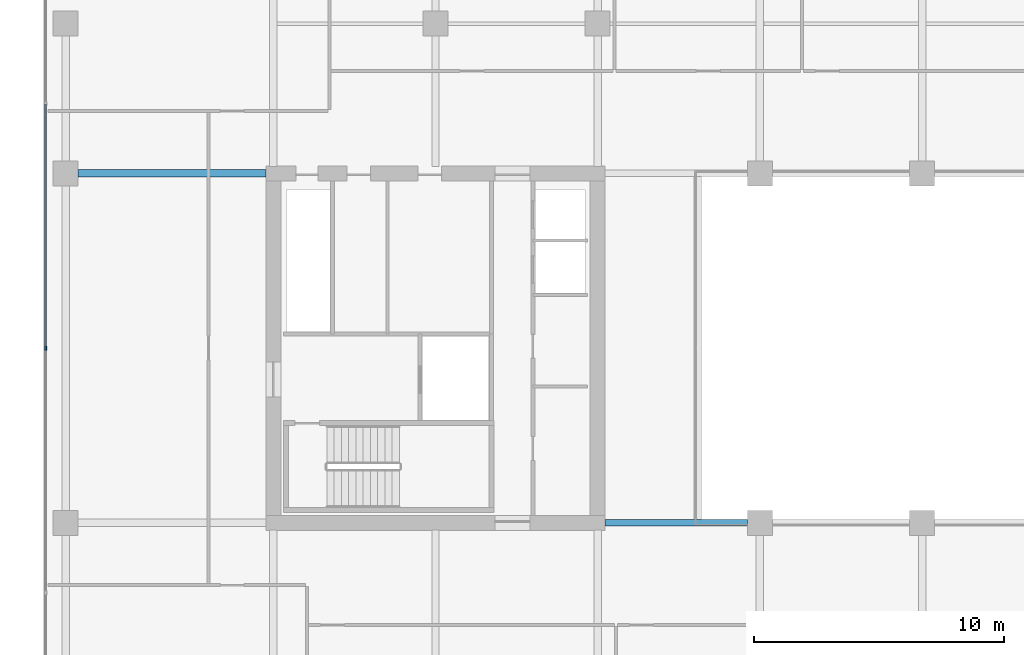
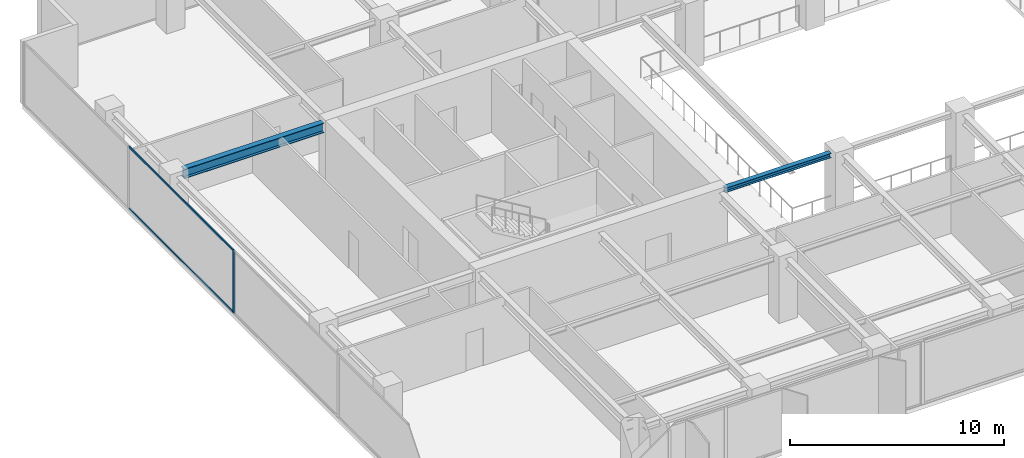
# One storey, part 4 of 22: 3 members, 2 beams, 1 element without a shape of its own.
"""IFC4 building model written with IfcOpenShell, lengths in metres."""

from ifc_helpers import new_model, si_unit, direction, frame, origin, origin_2d, place, context, subcontext, project, spatial, rectangle, i_section, extrude, material, layer, layer_set, material_profile, profile_set, type_object, element, aggregate, save


model = new_model("IFC4")

# Units and contexts
model_context = context("Model", 3, precision=1e-05, world=origin(), true_north=direction((0.0, 1.0)))
body_context = subcontext(model_context, "Body", "Model", "MODEL_VIEW")
ifc_project = project(units=[si_unit("LENGTHUNIT", "METRE"), si_unit("AREAUNIT", "SQUARE_METRE"), si_unit("VOLUMEUNIT", "CUBIC_METRE"), si_unit("PLANEANGLEUNIT", "RADIAN"), si_unit("MASSUNIT", "GRAM", prefix="KILO")], contexts=[model_context])

# Site, building, storey
site_placement = place(None, origin())
site = spatial("IfcSite", under=ifc_project, at=site_placement, CompositionType="ELEMENT")
building_placement = place(site_placement, origin())
building = spatial("IfcBuilding", under=site, at=building_placement, Name="Putna Gate Headquarters", CompositionType="ELEMENT")
storey_placement = place(building_placement, frame((0.0, 0.0, 167.0)))
storey = spatial("IfcBuildingStorey", under=building, at=storey_placement, Name="L41", CompositionType="ELEMENT", Elevation=167.0)

# Beams
ifc_material_1 = material(Name="Steel S355J2", Category="steel")
ifc_material_profile_1 = material_profile(ifc_material_1, i_section(OverallWidth=0.260009765625, OverallDepth=0.260009765625, WebThickness=0.010009765625, FlangeThickness=0.017578125, at=origin_2d()), Name="Steel S355J2")
ifc_profile_set_1 = profile_set([ifc_material_profile_1], Name="Steel S355J2")
beam_type_1 = type_object("IfcBeamType", Name="BM-ATRIUM-HEB260", PredefinedType="BEAM", material=ifc_profile_set_1)
beam_1_placement = place(storey_placement, frame((26.284912109375, 19.0, 3.44189453125), z_axis=(1.0, 0.0, 0.0), x_axis=(0.0, 1.0, 0.0)))
element("IfcBeam", 1, at=beam_1_placement, inside=storey, type_object=beam_type_1, Name="L41 Atrium Edge Beam AS1", PredefinedType="BEAM", context=body_context, shape_type="SweptSolid", body=[
    extrude(i_section(OverallWidth=0.260009765625, OverallDepth=0.260009765625, WebThickness=0.010009765625, FlangeThickness=0.017578125, at=origin_2d()), origin(), (0.0, 0.0, 1.0), 5.72705078125),
])
ifc_material_profile_2 = material_profile(ifc_material_1, i_section(OverallWidth=0.300048828125, OverallDepth=0.550048828125, WebThickness=0.014892578125, FlangeThickness=0.029052734375, at=origin_2d()), Name="Steel S355J2")
ifc_profile_set_2 = profile_set([ifc_material_profile_2], Name="Steel S355J2")
beam_type_2 = type_object("IfcBeamType", Name="BM-GIRD-Z3-HEB550", PredefinedType="USERDEFINED", material=ifc_profile_set_2)
beam_2_placement = place(storey_placement, frame((5.16796875, 33.0, 3.297119140625), z_axis=(1.0, 0.0, 0.0), x_axis=(0.0, 1.0, 0.0)))
element("IfcBeam", 2, at=beam_2_placement, inside=storey, type_object=beam_type_2, Name="L41 West Wing Girder Y33", ObjectType="GIRDER", PredefinedType="USERDEFINED", context=body_context, shape_type="SweptSolid", body=[
    extrude(i_section(OverallWidth=0.300048828125, OverallDepth=0.550048828125, WebThickness=0.014892578125, FlangeThickness=0.029052734375, at=origin_2d()), origin(), (0.0, 0.0, 1.0), 7.547119140625),
])

# Curtain wall, members
ifc_material_2 = material(Name="Anodised bronze aluminium curtain wall", Category="aluminium")
ifc_layer = layer(ifc_material_2, 0.159912109375)
ifc_layer_set = layer_set([ifc_layer], Name="Anodised bronze aluminium curtain wall")
curtain_wall_type = type_object("IfcCurtainWallType", Name="CW-SYS-Z3", PredefinedType="USERDEFINED", material=ifc_layer_set)
curtain_wall_placement = place(storey_placement, origin())
curtain_wall = element("IfcCurtainWall", 3, at=curtain_wall_placement, inside=storey, type_object=curtain_wall_type, Name="L41 West Curtain Wall", ObjectType="STICK CURTAIN WALL", PredefinedType="USERDEFINED")
ifc_material_3 = material(Name="Anodised bronze aluminium EN AW-6060", Category="aluminium")
ifc_material_profile_3 = material_profile(ifc_material_3, rectangle(XDim=0.06494140625, YDim=0.159912109375, at=origin_2d()), Name="Anodised bronze aluminium EN AW-6060")
ifc_profile_set_3 = profile_set([ifc_material_profile_3], Name="Anodised bronze aluminium EN AW-6060")
member_type_1 = type_object("IfcMemberType", Name="MULL-CWM-3", PredefinedType="MULLION", material=ifc_profile_set_3)
member_1_placement = place(storey_placement, frame((3.8798828125, 26.0, 0.0), z_axis=(0.0, 0.0, 1.0), x_axis=(-1.0, 0.0, 0.0)))
member_1 = element("IfcMember", 4, at=member_1_placement, type_object=member_type_1, Name="CWS-3 mullion 3", PredefinedType="MULLION", context=body_context, shape_type="SweptSolid", body=[
    extrude(rectangle(XDim=0.06494140625, YDim=0.159912109375, at=origin_2d()), origin(), (0.0, 0.0, 1.0), 3.572021484375),
])
ifc_material_profile_4 = material_profile(ifc_material_3, rectangle(XDim=0.06005859375, YDim=0.10009765625, at=origin_2d()), Name="Anodised bronze aluminium EN AW-6060")
ifc_profile_set_4 = profile_set([ifc_material_profile_4], Name="Anodised bronze aluminium EN AW-6060")
member_type_2 = type_object("IfcMemberType", Name="TRAN-CWT-3", PredefinedType="USERDEFINED", material=ifc_profile_set_4)
member_2_placement = place(storey_placement, frame((3.8798828125, 26.032470703125, 0.030029296875), z_axis=(0.0, 1.0, 0.0), x_axis=(-1.0, 0.0, 0.0)))
member_2 = element("IfcMember", 5, at=member_2_placement, type_object=member_type_2, Name="CWS-3 transom 3.1", ObjectType="TRANSOM", PredefinedType="USERDEFINED", context=body_context, shape_type="SweptSolid", body=[
    extrude(rectangle(XDim=0.06005859375, YDim=0.10009765625, at=origin_2d()), origin(), (0.0, 0.0, 1.0), 9.735107421875),
])
member_3_placement = place(storey_placement, frame((3.8798828125, 26.032470703125, 3.5419921875), z_axis=(0.0, 1.0, 0.0), x_axis=(-1.0, 0.0, 0.0)))
member_3 = element("IfcMember", 6, at=member_3_placement, type_object=member_type_2, Name="CWS-3 transom 3.2", ObjectType="TRANSOM", PredefinedType="USERDEFINED", context=body_context, shape_type="SweptSolid", body=[
    extrude(rectangle(XDim=0.06005859375, YDim=0.10009765625, at=origin_2d()), origin(), (0.0, 0.0, 1.0), 9.735107421875),
])
aggregate(curtain_wall, [member_1, member_2, member_3])

save(model, "model.ifc")
